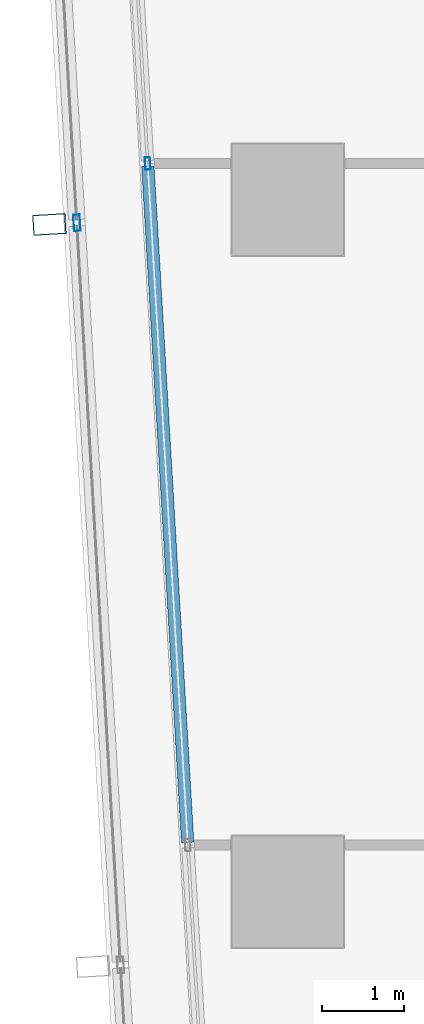
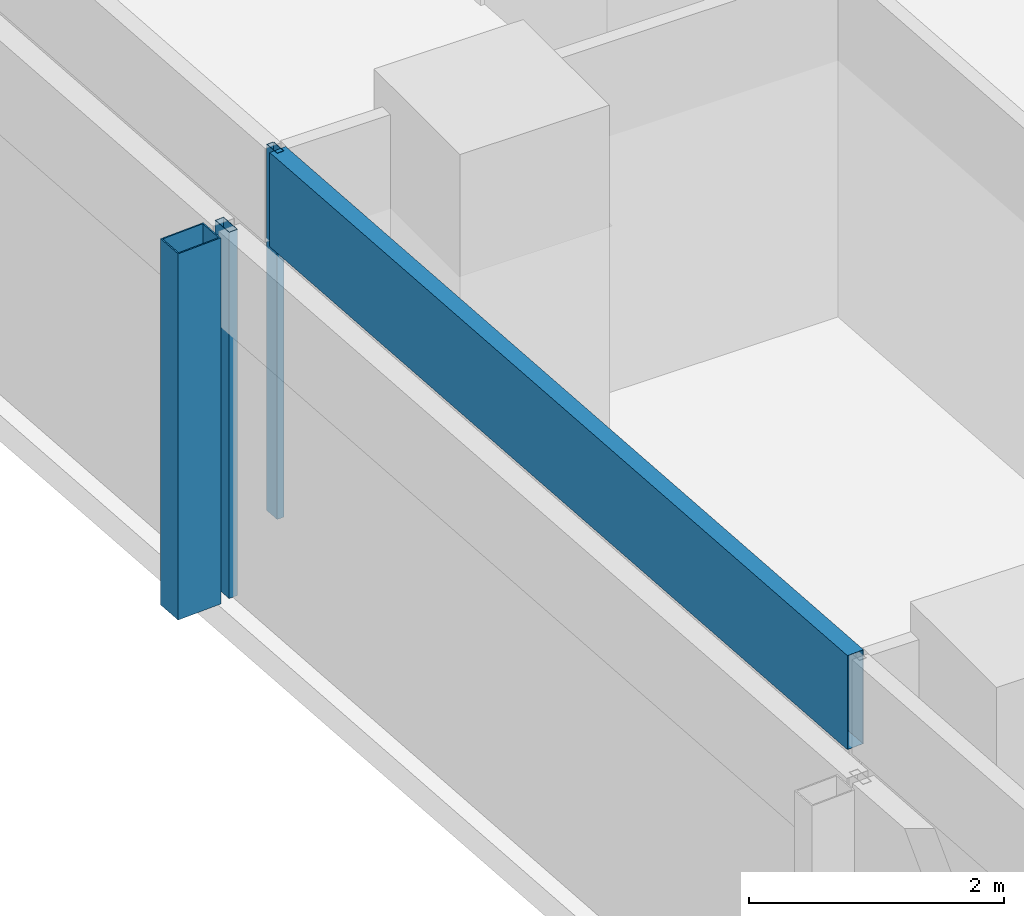
# One storey, part 8 of 38: 4 members, 2 elements without a shape of their own.
"""IFC4 building model written with IfcOpenShell, lengths in metres."""

from ifc_helpers import new_model, si_unit, direction, frame, origin, origin_2d, place, context, subcontext, project, spatial, hollow_rectangle, extrude, material, material_profile, profile_set, type_object, element, aggregate, save


model = new_model("IFC4")

# Units and contexts
model_context = context("Model", 3, precision=1e-05, world=origin(), true_north=direction((0.0, 1.0)))
body_context = subcontext(model_context, "Body", "Model", "MODEL_VIEW")
ifc_project = project(units=[si_unit("LENGTHUNIT", "METRE"), si_unit("AREAUNIT", "SQUARE_METRE"), si_unit("VOLUMEUNIT", "CUBIC_METRE"), si_unit("PLANEANGLEUNIT", "RADIAN"), si_unit("MASSUNIT", "GRAM", prefix="KILO")], contexts=[model_context])

# Site, building, storey
site_placement = place(None, origin())
site = spatial("IfcSite", under=ifc_project, at=site_placement, CompositionType="ELEMENT")
building_placement = place(site_placement, origin())
building = spatial("IfcBuilding", under=site, at=building_placement, Name="Rekha Terrace Tower", CompositionType="ELEMENT")
storey_placement = place(building_placement, frame((0.0, 0.0, 195.199951171875)))
storey = spatial("IfcBuildingStorey", under=building, at=storey_placement, Name="L49", CompositionType="ELEMENT", Elevation=195.199951171875)

# Curtain wall, member
ifc_material_1 = material(Name="Aluminium framing", Category="aluminium")
curtain_wall_type_1 = type_object("IfcCurtainWallType", Name="CW2 double skin outer glazing", PredefinedType="USERDEFINED", material=ifc_material_1)
curtain_wall_1_placement = place(storey_placement, origin())
curtain_wall_1 = element("IfcCurtainWall", 1, at=curtain_wall_1_placement, inside=storey, type_object=curtain_wall_type_1, Name="CW2 double skin outer glazing", ObjectType="DOUBLE SKIN OUTER GLAZING", PredefinedType="USERDEFINED")
ifc_material_2 = material(Name="Steel S355 with fluorocarbon finish", Category="steel")
ifc_material_profile_1 = material_profile(ifc_material_2, hollow_rectangle(XDim=0.25, YDim=0.39990234375, WallThickness=0.012451171875, at=origin_2d()), Name="RHS400x250x12.5")
ifc_profile_set_1 = profile_set([ifc_material_profile_1], Name="Steel S355 with fluorocarbon finish")
member_type_1 = type_object("IfcMemberType", Name="BL1 facade blade RHS 400 x 250", PredefinedType="USERDEFINED", material=ifc_profile_set_1)
member_1_placement = place(storey_placement, frame((5.50634765625, 33.300048828125, 0.0), z_axis=(0.0, 0.0, 1.0), x_axis=(0.058764522885, -0.998271872212, 0.0)))
member_1 = element("IfcMember", 2, at=member_1_placement, type_object=member_type_1, Name="Facade blade", ObjectType="FACADE BLADE", PredefinedType="USERDEFINED", context=body_context, shape_type="SweptSolid", body=[
    extrude(hollow_rectangle(XDim=0.25, YDim=0.39990234375, WallThickness=0.012451171875, at=origin_2d()), origin(), (0.0, 0.0, 1.0), 3.5),
])

# Curtain wall, members
curtain_wall_type_2 = type_object("IfcCurtainWallType", Name="CW1 double skin inner glazing", PredefinedType="USERDEFINED", material=ifc_material_1)
curtain_wall_2_placement = place(storey_placement, origin())
curtain_wall_2 = element("IfcCurtainWall", 3, at=curtain_wall_2_placement, inside=storey, type_object=curtain_wall_type_2, Name="CW1 double skin inner glazing", ObjectType="DOUBLE SKIN INNER GLAZING", PredefinedType="USERDEFINED")
ifc_material_3 = material(Name="Aluminium mullion section", Category="aluminium")
ifc_material_profile_2 = material_profile(ifc_material_3, hollow_rectangle(XDim=0.06494140625, YDim=0.14990234375, WallThickness=0.00390625, at=origin_2d()), Name="AL RHS 65x150")
ifc_profile_set_2 = profile_set([ifc_material_profile_2], Name="Aluminium mullion section")
member_type_2 = type_object("IfcMemberType", Name="CW1 mullion RHS 65 x 150", PredefinedType="MULLION", material=ifc_profile_set_2)
member_2_placement = place(storey_placement, frame((6.69970703125, 34.040283203125, 0.0), z_axis=(0.0, 0.0, 1.0), x_axis=(0.998271839269, 0.058765082516, 0.0)))
member_2 = element("IfcMember", 4, at=member_2_placement, type_object=member_type_2, Name="CW1 mullion 2", PredefinedType="MULLION", context=body_context, shape_type="SweptSolid", body=[
    extrude(hollow_rectangle(XDim=0.06494140625, YDim=0.14990234375, WallThickness=0.00390625, at=origin_2d()), origin(), (0.0, 0.0, 1.0), 3.5),
])
ifc_material_4 = material(Name="Insulated aluminium spandrel box", Category="aluminium")
ifc_material_profile_3 = material_profile(ifc_material_4, hollow_rectangle(XDim=0.14990234375, YDim=0.89990234375, WallThickness=0.0029296875, at=origin_2d()), Name="AL SPANDREL BOX 150x900")
ifc_profile_set_3 = profile_set([ifc_material_profile_3], Name="Insulated aluminium spandrel box")
member_type_3 = type_object("IfcMemberType", Name="CW1 spandrel transom 150 x 900", PredefinedType="USERDEFINED", material=ifc_profile_set_3)
member_3_placement = place(storey_placement, frame((6.70166015625, 34.0078125, 3.050048828125), z_axis=(0.058782934148, -0.99827078824, 0.0), x_axis=(0.99827078824, 0.058782934148, 0.0)))
member_3 = element("IfcMember", 5, at=member_3_placement, type_object=member_type_3, Name="CW1 spandrel transom 2", ObjectType="TRANSOM", PredefinedType="USERDEFINED", context=body_context, shape_type="SweptSolid", body=[
    extrude(hollow_rectangle(XDim=0.14990234375, YDim=0.89990234375, WallThickness=0.0029296875, at=origin_2d()), origin(), (0.0, 0.0, 1.0), 8.223388671875),
])
aggregate(curtain_wall_2, [member_2, member_3])

# Member
ifc_material_profile_4 = material_profile(ifc_material_3, hollow_rectangle(XDim=0.080078125, YDim=0.199951171875, WallThickness=0.00390625, at=origin_2d()), Name="AL RHS 80x200")
ifc_profile_set_4 = profile_set([ifc_material_profile_4], Name="Aluminium mullion section")
member_type_4 = type_object("IfcMemberType", Name="CW2 mullion RHS 80 x 200", PredefinedType="MULLION", material=ifc_profile_set_4)
member_4_placement = place(storey_placement, frame((5.840576171875, 33.31982421875, 0.0), z_axis=(0.0, 0.0, 1.0), x_axis=(0.99827183927, 0.058765082499, 0.0)))
member_4 = element("IfcMember", 6, at=member_4_placement, type_object=member_type_4, Name="CW2 mullion 2", PredefinedType="MULLION", context=body_context, shape_type="SweptSolid", body=[
    extrude(hollow_rectangle(XDim=0.080078125, YDim=0.199951171875, WallThickness=0.00390625, at=origin_2d()), origin(), (0.0, 0.0, 1.0), 3.5),
])

aggregate(curtain_wall_1, [member_4, member_1])

save(model, "model.ifc")
